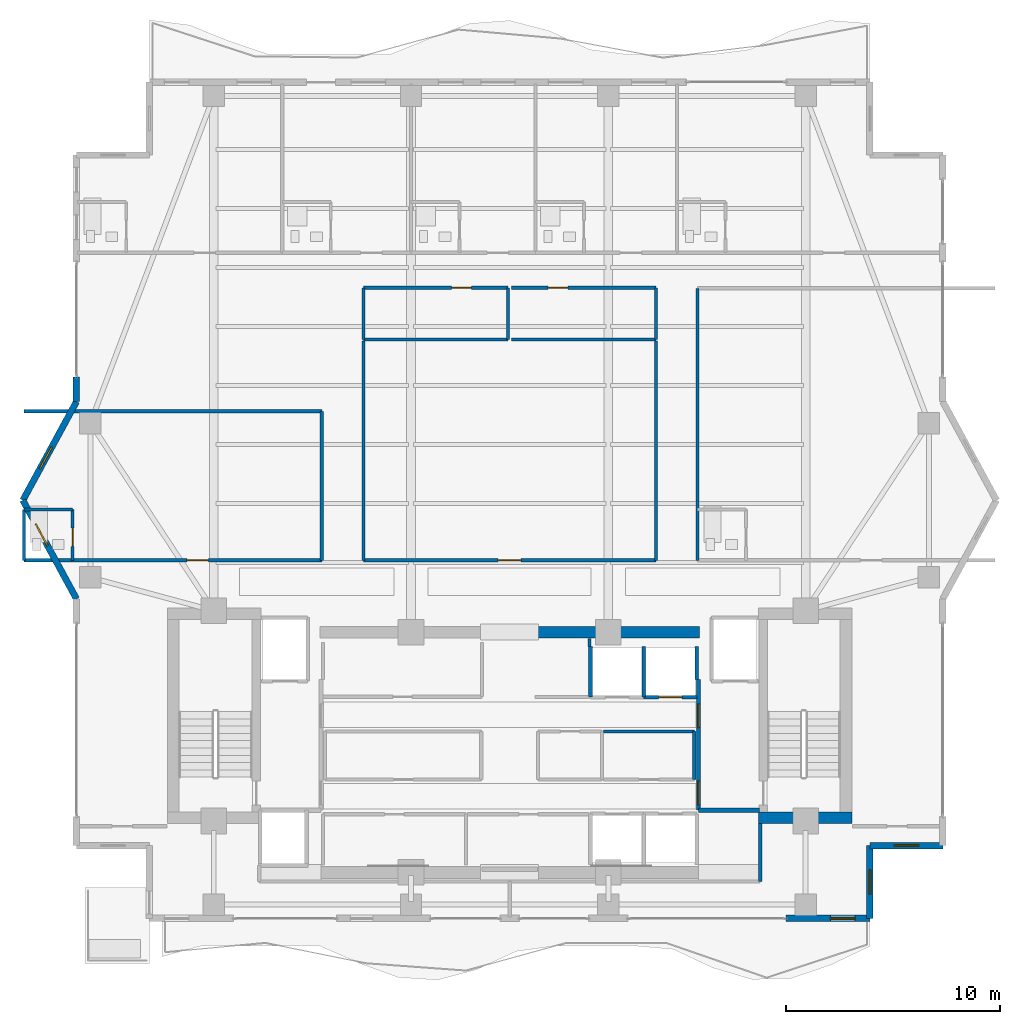
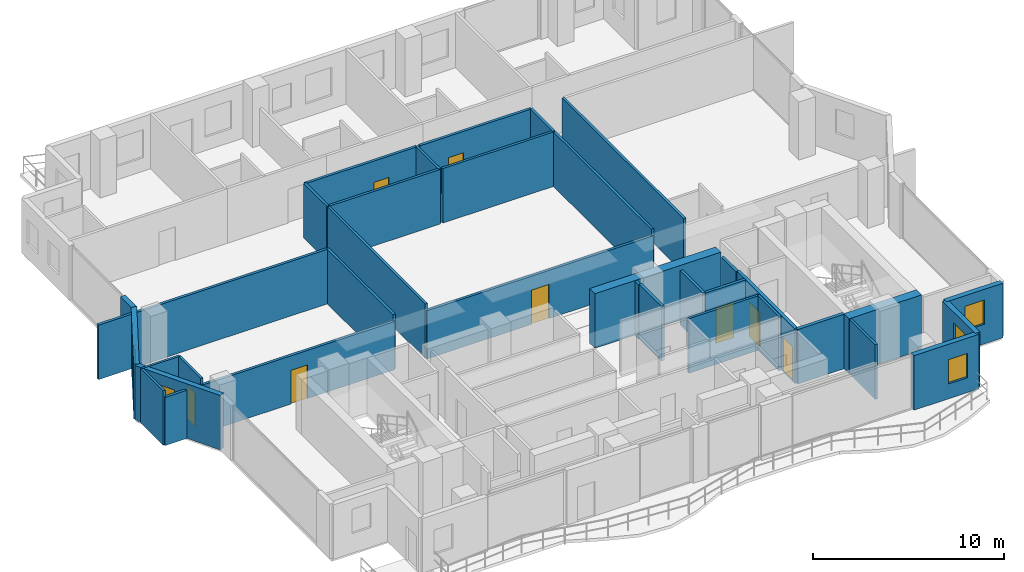
# One storey, part 19 of 26: 35 walls, 8 doors, 5 windows, 13 openings.
"""IFC4 building model written with IfcOpenShell, lengths in metres."""

import ifcopenshell
import ifcopenshell.guid

model = None  # the IFC model being written
_history = None  # IfcOwnerHistory: only IFC2X3 demands one
_inside = {}  # id of a spatial element -> (the spatial element, [elements in it])
_under = {}  # id of a project, library or spatial element -> (it, [spatial elements below it])
_declared = {}  # id of a project -> (the project, [libraries it declares])
_typed = {}  # id of a type object -> (the type object, [elements of that type])
_made_of = {}  # id of a material, layer set ... -> (it, [elements and type objects made of it])


def new_model(schema):
    """Start an empty IFC model of exactly this schema.

    Asked for "IFC4X3", IfcOpenShell would pick the latest addendum, in which some entities
    have other attributes; the version numbers below select the first issue.
    IFC2X3 requires an IfcOwnerHistory on every rooted entity: one is made here for all.
    """
    global model, _history
    if schema == "IFC4X3":
        model = ifcopenshell.file(schema_version=(4, 3, 0, 0))
    else:
        model = ifcopenshell.file(schema=schema)
    _inside.clear()
    _under.clear()
    _declared.clear()
    _typed.clear()
    _made_of.clear()
    _history = None
    if model.schema == "IFC2X3":
        org = make("IfcOrganization", Name="unknown")
        user = make(
            "IfcPersonAndOrganization",
            ThePerson=make("IfcPerson", FamilyName="unknown"),
            TheOrganization=org,
        )
        app = make(
            "IfcApplication",
            ApplicationDeveloper=org,
            Version="unknown",
            ApplicationFullName="unknown",
            ApplicationIdentifier="unknown",
        )
        _history = make(
            "IfcOwnerHistory",
            OwningUser=user,
            OwningApplication=app,
            ChangeAction="ADDED",
            CreationDate=0,
        )
    return model


def make(cls, **values):
    """One entity of the class cls with the attributes given. An attribute that is None is left unset."""
    return model.create_entity(
        cls, **{name: value for name, value in values.items() if value is not None}
    )


def rooted(cls, **values):
    """An entity with a GlobalId (a new one), such as an element, a storey or a relation."""
    return make(cls, GlobalId=ifcopenshell.guid.new(), OwnerHistory=_history, **values)


def si_unit(unit_type, name, prefix=None):
    """IfcSIUnit, for example si_unit("LENGTHUNIT", "METRE", prefix="MILLI")."""
    return make("IfcSIUnit", UnitType=unit_type, Prefix=prefix, Name=name)


def assignment(units):
    """IfcUnitAssignment: the units of a project."""
    return None if units is None else make("IfcUnitAssignment", Units=units)


def point(xyz):
    """IfcCartesianPoint."""
    return None if xyz is None else make("IfcCartesianPoint", Coordinates=xyz)


def direction(xyz):
    """IfcDirection."""
    return None if xyz is None else make("IfcDirection", DirectionRatios=xyz)


def frame(location, z_axis=None, x_axis=None):
    """IfcAxis2Placement3D, a coordinate frame: its origin and axes. An axis left out is left unset."""
    return make(
        "IfcAxis2Placement3D",
        Location=point(location),
        Axis=direction(z_axis),
        RefDirection=direction(x_axis),
    )


def frame_2d(location, x_axis=None):
    """IfcAxis2Placement2D, a coordinate frame in the plane: its origin and x axis."""
    return make(
        "IfcAxis2Placement2D", Location=point(location), RefDirection=direction(x_axis)
    )


def origin():
    """The frame at (0, 0, 0) with its axes left unset."""
    return frame((0.0, 0.0, 0.0))


def place(relative_to, where):
    """IfcLocalPlacement: puts the frame where relative to a parent placement (None: the world)."""
    return make(
        "IfcLocalPlacement", PlacementRelTo=relative_to, RelativePlacement=where
    )


def context(
    kind, dimensions, precision=None, world=None, true_north=None, identifier=None
):
    """IfcGeometricRepresentationContext, for example the 3D "Model" context."""
    return make(
        "IfcGeometricRepresentationContext",
        ContextIdentifier=identifier,
        ContextType=kind,
        CoordinateSpaceDimension=dimensions,
        Precision=precision,
        WorldCoordinateSystem=world,
        TrueNorth=true_north,
    )


def subcontext(parent, identifier, kind, view, scale=None):
    """IfcGeometricRepresentationSubContext, for example "Body" below "Model"."""
    return make(
        "IfcGeometricRepresentationSubContext",
        ContextIdentifier=identifier,
        ContextType=kind,
        ParentContext=parent,
        TargetScale=scale,
        TargetView=view,
    )


def project(units=None, contexts=None):
    """IfcProject with its units and contexts."""
    return rooted(
        "IfcProject",
        Name="project",
        RepresentationContexts=contexts,
        UnitsInContext=assignment(units),
    )


def spatial(cls, under=None, at=None, **own):
    """A site, building, storey or space (cls), placed at a placement, below another one or the project."""
    s = rooted(cls, ObjectPlacement=at, **own)
    if under is not None:
        _under.setdefault(under.id(), (under, []))[1].append(s)
    return s


def profile(cls, at=None, kind="AREA", **sizes):
    """A parametric profile (cls). Its sizes go by their IFC names, for example OverallWidth=200.0."""
    return make(cls, ProfileType=kind, Position=at, **sizes)


def rectangle(**sizes):
    """IfcRectangleProfileDef."""
    return profile("IfcRectangleProfileDef", **sizes)


def extrude(swept, where, along, depth):
    """IfcExtrudedAreaSolid: the profile swept, set in the frame where, extruded along a direction by depth."""
    return make(
        "IfcExtrudedAreaSolid",
        SweptArea=swept,
        Position=where,
        ExtrudedDirection=direction(along),
        Depth=depth,
    )


def shape(context_of_items, identifier, shape_type, items):
    """IfcShapeRepresentation: the items that make up one representation, for example the "Body"."""
    return make(
        "IfcShapeRepresentation",
        ContextOfItems=context_of_items,
        RepresentationIdentifier=identifier,
        RepresentationType=shape_type,
        Items=items,
    )


def material(Name=None, Category=None):
    """IfcMaterial."""
    return make("IfcMaterial", Name=Name, Category=Category)


def layer(
    of_material, thickness, ventilated=None, Name=None, Category=None, Priority=None
):
    """IfcMaterialLayer: one layer of a wall or slab, of a material (None: an air gap)."""
    return make(
        "IfcMaterialLayer",
        Material=of_material,
        LayerThickness=thickness,
        IsVentilated=ventilated,
        Name=Name,
        Category=Category,
        Priority=Priority,
    )


def layer_set(layers, Name=None):
    """IfcMaterialLayerSet."""
    return make("IfcMaterialLayerSet", MaterialLayers=layers, LayerSetName=Name)


def made_of(thing, what):
    """Note that an element or type object is made of a material, layer set ...; save() writes the relation."""
    if what is not None:
        _made_of.setdefault(what.id(), (what, []))[1].append(thing)
    return thing


def type_object(cls, material=None, **own):
    """A type object (cls), such as IfcWallType, which elements share."""
    return made_of(rooted(cls, **own), material)


def element(
    cls,
    number,
    at=None,
    inside=None,
    cuts=None,
    type_object=None,
    material=None,
    context=None,
    identifier="Body",
    shape_type=None,
    held_by="IfcProductDefinitionShape",
    body=None,
    shapes=None,
    **own,
):
    """One element of the class cls, such as IfcWall. Its Tag is "e" and its number.

    at: its placement. inside: the storey or other place that contains it. cuts: it is an
    opening in that element (IfcRelVoidsElement). A single representation is given by context,
    identifier, shape_type and body (its items); several are given by shapes. held_by: the class
    of the entity that holds the representations. save() writes the other relations.
    """
    e = rooted(cls, Tag="e%d" % number, ObjectPlacement=at, **own)
    if body is not None:
        shapes = [shape(context, identifier, shape_type, body)]
    if shapes is not None:
        e.Representation = make(held_by, Representations=shapes)
    if inside is not None:
        _inside.setdefault(inside.id(), (inside, []))[1].append(e)
    if cuts is not None:
        rooted(
            "IfcRelVoidsElement", RelatingBuildingElement=cuts, RelatedOpeningElement=e
        )
    if type_object is not None:
        _typed.setdefault(type_object.id(), (type_object, []))[1].append(e)
    return made_of(e, material)


def fill(opening, filler):
    """IfcRelFillsElement: the door or window that sits in an opening."""
    return rooted(
        "IfcRelFillsElement",
        RelatingOpeningElement=opening,
        RelatedBuildingElement=filler,
    )


def aggregate(whole, parts):
    """IfcRelAggregates: a whole, such as a stair, and the parts it consists of."""
    return rooted("IfcRelAggregates", RelatingObject=whole, RelatedObjects=parts)


def save(model, path):
    """Write the relations noted so far, then the file.

    IfcRelAggregates (storeys below a building ...), IfcRelContainedInSpatialStructure (elements
    in a storey), IfcRelDefinesByType, IfcRelAssociatesMaterial and IfcRelDeclares: one each for
    every whole, place, type object, material and project.
    """
    for whole, parts in _under.values():
        aggregate(whole, parts)
    for where, things in _inside.values():
        rooted(
            "IfcRelContainedInSpatialStructure",
            RelatedElements=things,
            RelatingStructure=where,
        )
    for kind, things in _typed.values():
        rooted("IfcRelDefinesByType", RelatedObjects=things, RelatingType=kind)
    for what, things in _made_of.values():
        rooted("IfcRelAssociatesMaterial", RelatedObjects=things, RelatingMaterial=what)
    for by, libraries in _declared.values():
        rooted("IfcRelDeclares", RelatingContext=by, RelatedDefinitions=libraries)
    model.write(path)


model = new_model("IFC4")

# Units and contexts
model_context = context("Model", 3, precision=1e-05, world=origin(), true_north=direction((0.0, 1.0)))
body_context = subcontext(model_context, "Body", "Model", "MODEL_VIEW")
ifc_project = project(units=[si_unit("LENGTHUNIT", "METRE"), si_unit("AREAUNIT", "SQUARE_METRE"), si_unit("VOLUMEUNIT", "CUBIC_METRE"), si_unit("PLANEANGLEUNIT", "RADIAN"), si_unit("MASSUNIT", "GRAM", prefix="KILO")], contexts=[model_context])

# Site, building, storey
site_placement = place(None, origin())
site = spatial("IfcSite", under=ifc_project, at=site_placement, CompositionType="ELEMENT")
building_placement = place(site_placement, origin())
building = spatial("IfcBuilding", under=site, at=building_placement, Name="Zuhayl Quay Hotel", CompositionType="ELEMENT")
storey_placement = place(building_placement, frame((0.0, 0.0, 247.050048828125)))
storey = spatial("IfcBuildingStorey", under=building, at=storey_placement, Name="L62", CompositionType="ELEMENT", Elevation=247.050048828125)

# Walls
ifc_material_1 = material(Name="Concrete C50/60", Category="concrete")
ifc_layer_1 = layer(ifc_material_1, 0.550048828125, Name="Concrete C50/60", Category="concrete")
ifc_layer_set_1 = layer_set([ifc_layer_1], Name="Concrete C50/60")
wall_type_1 = type_object("IfcWallType", Name="WL_CORE_550", PredefinedType="SHEAR", material=ifc_layer_set_1)
wall_1_placement = place(storey_placement, frame((11.60009765625, 4.695068359375, 0.0), z_axis=(0.0, 0.0, 1.0), x_axis=(1.0, 0.0, 0.0)))
element("IfcWall", 1, at=wall_1_placement, inside=storey, type_object=wall_type_1, Name="L62 Core Shear Wall CW_SE", PredefinedType="SHEAR", context=body_context, shape_type="SweptSolid", body=[
    extrude(rectangle(XDim=4.35986328125, YDim=0.550048828125, at=frame_2d((2.179931640625, 0.0))), origin(), (0.0, 0.0, 1.0), 3.510009765625),
])
wall_2_placement = place(storey_placement, frame((1.25, 13.35009765625, 0.0), z_axis=(0.0, 0.0, 1.0), x_axis=(1.0, 0.0, 0.0)))
element("IfcWall", 2, at=wall_2_placement, inside=storey, type_object=wall_type_1, Name="L62 Core Shear Wall CW_NC_E", PredefinedType="SHEAR", context=body_context, shape_type="SweptSolid", body=[
    extrude(rectangle(XDim=7.60009765625, YDim=0.550048828125, at=frame_2d((3.800048828125, 0.0))), origin(), (0.0, 0.0, 1.0), 3.47998046875),
])

# Wall, opening, window
ifc_material_2 = material(Name="Precast concrete C45/55", Category="concrete")
ifc_layer_2 = layer(ifc_material_2, 0.300048828125, Name="Precast concrete C45/55", Category="concrete")
ifc_layer_set_2 = layer_set([ifc_layer_2], Name="Precast concrete C45/55")
wall_type_2 = type_object("IfcWallType", Name="WL_EXT_300", PredefinedType="STANDARD", material=ifc_layer_set_2)
wall_3_placement = place(storey_placement, frame((-20.199951171875, 14.89990234375, 0.0), z_axis=(0.0, 0.0, 1.0), x_axis=(-0.477505494629, 0.878628762675, 0.0)))
wall_3 = element("IfcWall", 3, at=wall_3_placement, inside=storey, type_object=wall_type_2, Name="L62 Exterior Precast Wall ENV_L62_EW03", PredefinedType="STANDARD", context=body_context, shape_type="SweptSolid", body=[
    extrude(rectangle(XDim=5.235595703125, YDim=0.300048828125, at=frame_2d((2.61767578125, 0.0))), origin(), (0.0, 0.0, 1.0), 3.47998046875),
])
opening_1_placement = place(wall_3_placement, frame((2.822509765625, 0.0, 1.25)))
opening_1 = element("IfcOpeningElement", 4, at=opening_1_placement, cuts=wall_3, Name="Opening W01N", PredefinedType="OPENING", context=body_context, shape_type="SweptSolid", body=[
    extrude(rectangle(XDim=1.14990234375, YDim=1.550048828125, at=frame_2d((0.574951171875, 0.77490234375))), frame((0.0, 0.159912109375, 0.0), z_axis=(0.0, -1.0, 0.0), x_axis=(1.0, 0.0, 0.0)), (0.0, 0.0, 1.0), 0.320068359375),
])
ifc_material_3 = material(Name="Dark Ceramic-Fritted Solar Glass", Category="glass")
window_type = type_object("IfcWindowType", Name="WN_NOTCH_1350", PartitioningType="SINGLE_PANEL", PredefinedType="WINDOW", material=ifc_material_3)
window_1_placement = place(opening_1_placement, origin())
window_1 = element("IfcWindow", 5, at=window_1_placement, inside=storey, type_object=window_type, Name="L62 Corner Notch Window 3", OverallHeight=1.550048828125, OverallWidth=1.14990234375, PartitioningType="SINGLE_PANEL", PredefinedType="WINDOW", context=body_context, shape_type="SweptSolid", body=[
    extrude(rectangle(XDim=1.14990234375, YDim=1.550048828125, at=frame_2d((0.574951171875, 0.77490234375))), frame((0.0, 0.030029296875, 0.0), z_axis=(0.0, -1.0, 0.0), x_axis=(1.0, 0.0, 0.0)), (0.0, 0.0, 1.0), 0.06005859375),
])
fill(opening_1, window_1)

wall_4_placement = place(storey_placement, frame((-22.699951171875, 19.5, 0.0), z_axis=(0.0, 0.0, 1.0), x_axis=(0.477505494629, 0.878628762675, 0.0)))
wall_4 = element("IfcWall", 6, at=wall_4_placement, inside=storey, type_object=wall_type_2, Name="L62 Exterior Precast Wall ENV_L62_EW04", PredefinedType="STANDARD", context=body_context, shape_type="SweptSolid", body=[
    extrude(rectangle(XDim=5.235595703125, YDim=0.300048828125, at=frame_2d((2.61767578125, 0.0))), origin(), (0.0, 0.0, 1.0), 3.47998046875),
])
opening_2_placement = place(wall_4_placement, frame((1.6787109375, 0.0, 1.25)))
opening_2 = element("IfcOpeningElement", 7, at=opening_2_placement, cuts=wall_4, Name="Opening W01N", PredefinedType="OPENING", context=body_context, shape_type="SweptSolid", body=[
    extrude(rectangle(XDim=1.14990234375, YDim=1.550048828125, at=frame_2d((0.574951171875, 0.77490234375))), frame((0.0, 0.159912109375, 0.0), z_axis=(0.0, -1.0, 0.0), x_axis=(1.0, 0.0, 0.0)), (0.0, 0.0, 1.0), 0.320068359375),
])
window_2_placement = place(opening_2_placement, origin())
window_2 = element("IfcWindow", 8, at=window_2_placement, inside=storey, type_object=window_type, Name="L62 Corner Notch Window 4", OverallHeight=1.550048828125, OverallWidth=1.14990234375, PartitioningType="SINGLE_PANEL", PredefinedType="WINDOW", context=body_context, shape_type="SweptSolid", body=[
    extrude(rectangle(XDim=1.14990234375, YDim=1.550048828125, at=frame_2d((0.574951171875, 0.77490234375))), frame((0.0, 0.030029296875, 0.0), z_axis=(0.0, -1.0, 0.0), x_axis=(1.0, 0.0, 0.0)), (0.0, 0.0, 1.0), 0.06005859375),
])
fill(opening_2, window_2)

# Wall
wall_5_placement = place(storey_placement, frame((-20.199951171875, 24.10009765625, 0.0), z_axis=(0.0, 0.0, 1.0), x_axis=(0.0, 1.0, 0.0)))
element("IfcWall", 9, at=wall_5_placement, inside=storey, type_object=wall_type_2, Name="L62 Exterior Precast Wall ENV_L62_E05_EW1", PredefinedType="STANDARD", context=body_context, shape_type="SweptSolid", body=[
    extrude(rectangle(XDim=1.14990234375, YDim=0.300048828125, at=frame_2d((0.574951171875, 0.0))), origin(), (0.0, 0.0, 1.0), 3.47998046875),
])

# Wall, opening, window
wall_6_placement = place(storey_placement, frame((20.199951171875, 3.39990234375, 0.0), z_axis=(0.0, 0.0, 1.0), x_axis=(-1.0, 0.0, 0.0)))
wall_6 = element("IfcWall", 10, at=wall_6_placement, inside=storey, type_object=wall_type_2, Name="L62 Exterior Precast Wall ENV_L62_EW15", PredefinedType="STANDARD", context=body_context, shape_type="SweptSolid", body=[
    extrude(rectangle(XDim=3.39990234375, YDim=0.300048828125, at=frame_2d((1.699951171875, 0.0))), origin(), (0.0, 0.0, 1.0), 3.47998046875),
])
opening_3_placement = place(wall_6_placement, frame((1.125, 0.0, 1.25)))
opening_3 = element("IfcOpeningElement", 11, at=opening_3_placement, cuts=wall_6, Name="Opening W01N", PredefinedType="OPENING", context=body_context, shape_type="SweptSolid", body=[
    extrude(rectangle(XDim=1.14990234375, YDim=1.550048828125, at=frame_2d((0.574951171875, 0.77490234375))), frame((0.0, 0.159912109375, 0.0), z_axis=(0.0, -1.0, 0.0), x_axis=(1.0, 0.0, 0.0)), (0.0, 0.0, 1.0), 0.320068359375),
])
window_3_placement = place(opening_3_placement, origin())
window_3 = element("IfcWindow", 12, at=window_3_placement, inside=storey, type_object=window_type, Name="L62 Corner Notch Window 15", OverallHeight=1.550048828125, OverallWidth=1.14990234375, PartitioningType="SINGLE_PANEL", PredefinedType="WINDOW", context=body_context, shape_type="SweptSolid", body=[
    extrude(rectangle(XDim=1.14990234375, YDim=1.550048828125, at=frame_2d((0.574951171875, 0.77490234375))), frame((0.0, 0.030029296875, 0.0), z_axis=(0.0, -1.0, 0.0), x_axis=(1.0, 0.0, 0.0)), (0.0, 0.0, 1.0), 0.06005859375),
])
fill(opening_3, window_3)

wall_7_placement = place(storey_placement, frame((16.800048828125, 3.39990234375, 0.0), z_axis=(0.0, 0.0, 1.0), x_axis=(0.0, -1.0, 0.0)))
wall_7 = element("IfcWall", 13, at=wall_7_placement, inside=storey, type_object=wall_type_2, Name="L62 Exterior Precast Wall ENV_L62_EW16", PredefinedType="STANDARD", context=body_context, shape_type="SweptSolid", body=[
    extrude(rectangle(XDim=3.39990234375, YDim=0.300048828125, at=frame_2d((1.699951171875, 0.0))), origin(), (0.0, 0.0, 1.0), 3.47998046875),
])
opening_4_placement = place(wall_7_placement, frame((1.125, 0.0, 1.25)))
opening_4 = element("IfcOpeningElement", 14, at=opening_4_placement, cuts=wall_7, Name="Opening W01N", PredefinedType="OPENING", context=body_context, shape_type="SweptSolid", body=[
    extrude(rectangle(XDim=1.14990234375, YDim=1.550048828125, at=frame_2d((0.574951171875, 0.77490234375))), frame((0.0, 0.159912109375, 0.0), z_axis=(0.0, -1.0, 0.0), x_axis=(1.0, 0.0, 0.0)), (0.0, 0.0, 1.0), 0.320068359375),
])
window_4_placement = place(opening_4_placement, origin())
window_4 = element("IfcWindow", 15, at=window_4_placement, inside=storey, type_object=window_type, Name="L62 Corner Notch Window 16", OverallHeight=1.550048828125, OverallWidth=1.14990234375, PartitioningType="SINGLE_PANEL", PredefinedType="WINDOW", context=body_context, shape_type="SweptSolid", body=[
    extrude(rectangle(XDim=1.14990234375, YDim=1.550048828125, at=frame_2d((0.574951171875, 0.77490234375))), frame((0.0, 0.030029296875, 0.0), z_axis=(0.0, -1.0, 0.0), x_axis=(1.0, 0.0, 0.0)), (0.0, 0.0, 1.0), 0.06005859375),
])
fill(opening_4, window_4)

wall_8_placement = place(storey_placement, frame((16.800048828125, 0.0, 0.0), z_axis=(0.0, 0.0, 1.0), x_axis=(-1.0, 0.0, 0.0)))
wall_8 = element("IfcWall", 16, at=wall_8_placement, inside=storey, type_object=wall_type_2, Name="L62 Exterior Precast Wall ENV_L62_S_EW1", PredefinedType="STANDARD", context=body_context, shape_type="SweptSolid", body=[
    extrude(rectangle(XDim=3.920166015625, YDim=0.300048828125, at=frame_2d((1.9599609375, 0.0))), origin(), (0.0, 0.0, 1.0), 3.47998046875),
])
opening_5_placement = place(wall_8_placement, frame((0.695068359375, 0.0, 0.949951171875)))
opening_5 = element("IfcOpeningElement", 17, at=opening_5_placement, cuts=wall_8, Name="Opening W01N", PredefinedType="OPENING", context=body_context, shape_type="SweptSolid", body=[
    extrude(rectangle(XDim=1.14990234375, YDim=1.550048828125, at=frame_2d((0.574951171875, 0.77490234375))), frame((0.0, 0.159912109375, 0.0), z_axis=(0.0, -1.0, 0.0), x_axis=(1.0, 0.0, 0.0)), (0.0, 0.0, 1.0), 0.320068359375),
])
window_5_placement = place(opening_5_placement, origin())
window_5 = element("IfcWindow", 18, at=window_5_placement, inside=storey, type_object=window_type, Name="L62 Operable Facade Window 1-1", OverallHeight=1.550048828125, OverallWidth=1.14990234375, PartitioningType="SINGLE_PANEL", PredefinedType="WINDOW", context=body_context, shape_type="SweptSolid", body=[
    extrude(rectangle(XDim=1.14990234375, YDim=1.550048828125, at=frame_2d((0.574951171875, 0.77490234375))), frame((0.0, 0.030029296875, 0.0), z_axis=(0.0, -1.0, 0.0), x_axis=(1.0, 0.0, 0.0)), (0.0, 0.0, 1.0), 0.06005859375),
])
fill(opening_5, window_5)

# Walls
ifc_material_4 = material(Name="Acoustic Gypsum Partition STC-58")
ifc_layer_3 = layer(ifc_material_4, 0.14990234375, Name="Acoustic Gypsum Partition STC-58")
ifc_layer_set_3 = layer_set([ifc_layer_3], Name="Acoustic Gypsum Partition STC-58")
wall_type_3 = type_object("IfcWallType", Name="WL_PART_150", PredefinedType="PARTITIONING", material=ifc_layer_set_3)
wall_9_placement = place(storey_placement, frame((4.3701171875, 8.719970703125, 0.0), z_axis=(0.0, 0.0, 1.0), x_axis=(1.0, 0.0, 0.0)))
element("IfcWall", 19, at=wall_9_placement, inside=storey, type_object=wall_type_3, Name="L62 Partition IW_L62_CORE_LN_N", PredefinedType="PARTITIONING", context=body_context, shape_type="SweptSolid", body=[
    extrude(rectangle(XDim=4.239990234375, YDim=0.14990234375, at=frame_2d((2.1201171875, 0.0))), origin(), (0.0, 0.0, 1.0), 3.47998046875),
])
wall_10_placement = place(storey_placement, frame((8.610107421875, 6.47998046875, 0.0), z_axis=(0.0, 0.0, 1.0), x_axis=(0.0, 1.0, 0.0)))
element("IfcWall", 20, at=wall_10_placement, inside=storey, type_object=wall_type_3, Name="L62 Partition IW_L62_CORE_LN_E", PredefinedType="PARTITIONING", context=body_context, shape_type="SweptSolid", body=[
    extrude(rectangle(XDim=2.239990234375, YDim=0.14990234375, at=frame_2d((1.1201171875, 0.0))), origin(), (0.0, 0.0, 1.0), 3.47998046875),
])
wall_11_placement = place(storey_placement, frame((3.719970703125, 12.679931640625, 0.0), z_axis=(0.0, 0.0, 1.0), x_axis=(0.0, 1.0, 0.0)))
element("IfcWall", 21, at=wall_11_placement, inside=storey, type_object=wall_type_3, Name="L62 Partition IW_L62_VEST_MP4_E", PredefinedType="PARTITIONING", context=body_context, shape_type="SweptSolid", body=[
    extrude(rectangle(XDim=0.3701171875, YDim=0.14990234375, at=frame_2d((0.18505859375, 0.0))), origin(), (0.0, 0.0, 1.0), 3.47998046875),
])
wall_12_placement = place(storey_placement, frame((11.679931640625, 1.719970703125, 0.0), z_axis=(0.0, 0.0, 1.0), x_axis=(0.0, 1.0, 0.0)))
element("IfcWall", 22, at=wall_12_placement, inside=storey, type_object=wall_type_3, Name="L62 Partition IW_L62_Z4_SUN_SE_IN", PredefinedType="PARTITIONING", context=body_context, shape_type="SweptSolid", body=[
    extrude(rectangle(XDim=2.699951171875, YDim=0.14990234375, at=frame_2d((1.35009765625, 0.0))), origin(), (0.0, 0.0, 1.0), 3.47998046875),
])
wall_13_placement = place(storey_placement, frame((-6.820068359375, 27.0, 0.0), z_axis=(0.0, 0.0, 1.0), x_axis=(1.0, 0.0, 0.0)))
element("IfcWall", 23, at=wall_13_placement, inside=storey, type_object=wall_type_3, Name="L62 Partition IW_L62_HK_MAIN_S", PredefinedType="PARTITIONING", context=body_context, shape_type="SweptSolid", body=[
    extrude(rectangle(XDim=6.739990234375, YDim=0.14990234375, at=frame_2d((3.3701171875, 0.0))), origin(), (0.0, 0.0, 1.0), 3.47998046875),
])
for number, where, z_axis, x_axis, name in (
    (24, (-6.820068359375, 27.0, 0.0), (0.0, 0.0, 1.0), (0.0, 1.0, 0.0), "L62 Partition IW_L62_HK_MAIN_W"),
    (25, (-0.080078125, 27.0, 0.0), (0.0, 0.0, 1.0), (0.0, 1.0, 0.0), "L62 Partition IW_L62_HK_MAIN_E"),
):
    element("IfcWall", number, at=place(storey_placement, frame(where, z_axis=z_axis, x_axis=x_axis)), inside=storey, type_object=wall_type_3, Name=name, PredefinedType="PARTITIONING", context=body_context, shape_type="SweptSolid", body=[
        extrude(rectangle(XDim=2.39990234375, YDim=0.14990234375, at=frame_2d((1.199951171875, 0.0))), origin(), (0.0, 0.0, 1.0), 3.47998046875),
    ])
wall_14_placement = place(storey_placement, frame((0.080078125, 27.0, 0.0), z_axis=(0.0, 0.0, 1.0), x_axis=(1.0, 0.0, 0.0)))
element("IfcWall", 26, at=wall_14_placement, inside=storey, type_object=wall_type_3, Name="L62 Partition IW_L62_TEA_MAIN_S", PredefinedType="PARTITIONING", context=body_context, shape_type="SweptSolid", body=[
    extrude(rectangle(XDim=6.739990234375, YDim=0.14990234375, at=frame_2d((3.3701171875, 0.0))), origin(), (0.0, 0.0, 1.0), 3.47998046875),
])
wall_15_placement = place(storey_placement, frame((6.820068359375, 27.0, 0.0), z_axis=(0.0, 0.0, 1.0), x_axis=(0.0, 1.0, 0.0)))
element("IfcWall", 27, at=wall_15_placement, inside=storey, type_object=wall_type_3, Name="L62 Partition IW_L62_TEA_MAIN_E", PredefinedType="PARTITIONING", context=body_context, shape_type="SweptSolid", body=[
    extrude(rectangle(XDim=2.39990234375, YDim=0.14990234375, at=frame_2d((1.199951171875, 0.0))), origin(), (0.0, 0.0, 1.0), 3.47998046875),
])
for number, where, z_axis, x_axis, name in (
    (28, (-6.820068359375, 16.699951171875, 0.0), (0.0, 0.0, 1.0), (0.0, 1.0, 0.0), "L62 Partition IW_L62_Z4_MAJ_W"),
    (29, (6.820068359375, 16.699951171875, 0.0), (0.0, 0.0, 1.0), (0.0, 1.0, 0.0), "L62 Partition IW_L62_Z4_MAJ_E"),
):
    element("IfcWall", number, at=place(storey_placement, frame(where, z_axis=z_axis, x_axis=x_axis)), inside=storey, type_object=wall_type_3, Name=name, PredefinedType="PARTITIONING", context=body_context, shape_type="SweptSolid", body=[
        extrude(rectangle(XDim=10.219970703125, YDim=0.14990234375, at=frame_2d((5.10986328125, 0.0))), origin(), (0.0, 0.0, 1.0), 3.47998046875),
    ])
wall_16_placement = place(storey_placement, frame((-8.760009765625, 16.699951171875, 0.0), z_axis=(0.0, 0.0, 1.0), x_axis=(0.0, 1.0, 0.0)))
element("IfcWall", 30, at=wall_16_placement, inside=storey, type_object=wall_type_3, Name="L62 Partition IW_L62_WU01_E", PredefinedType="PARTITIONING", context=body_context, shape_type="SweptSolid", body=[
    extrude(rectangle(XDim=6.949951171875, YDim=0.14990234375, at=frame_2d((3.47509765625, 0.0))), origin(), (0.0, 0.0, 1.0), 3.47998046875),
])
wall_17_placement = place(storey_placement, frame((8.760009765625, 16.699951171875, 0.0), z_axis=(0.0, 0.0, 1.0), x_axis=(0.0, 1.0, 0.0)))
element("IfcWall", 31, at=wall_17_placement, inside=storey, type_object=wall_type_3, Name="L62 Partition IW_L62_EU01_W", PredefinedType="PARTITIONING", context=body_context, shape_type="SweptSolid", body=[
    extrude(rectangle(XDim=12.679931640625, YDim=0.14990234375, at=frame_2d((6.33984375, 0.0))), origin(), (0.0, 0.0, 1.0), 3.47998046875),
])

# Wall, opening, door
ifc_layer_4 = layer(ifc_material_4, 0.159912109375, Name="Acoustic Gypsum Partition STC-58")
ifc_layer_set_4 = layer_set([ifc_layer_4], Name="Acoustic Gypsum Partition STC-58")
wall_type_4 = type_object("IfcWallType", Name="WL_PART_CORR_160", PredefinedType="PARTITIONING", material=ifc_layer_set_4)
wall_18_placement = place(storey_placement, frame((-6.820068359375, 29.39990234375, 0.0), z_axis=(0.0, 0.0, 1.0), x_axis=(1.0, 0.0, 0.0)))
wall_18 = element("IfcWall", 32, at=wall_18_placement, inside=storey, type_object=wall_type_4, Name="L62 Partition IW_L62_HK_MAIN_N", PredefinedType="PARTITIONING", context=body_context, shape_type="SweptSolid", body=[
    extrude(rectangle(XDim=6.739990234375, YDim=0.159912109375, at=frame_2d((3.3701171875, 0.0))), origin(), (0.0, 0.0, 1.0), 3.47998046875),
])
opening_6_placement = place(wall_18_placement, frame((4.110107421875, 0.0, 0.0)))
opening_6 = element("IfcOpeningElement", 33, at=opening_6_placement, cuts=wall_18, Name="Opening D05", PredefinedType="OPENING", context=body_context, shape_type="SweptSolid", body=[
    extrude(rectangle(XDim=0.919921875, YDim=2.1201171875, at=frame_2d((0.4599609375, 1.06005859375))), frame((0.0, 0.08984375, 0.0), z_axis=(0.0, -1.0, 0.0), x_axis=(1.0, 0.0, 0.0)), (0.0, 0.0, 1.0), 0.179931640625),
])
ifc_material_5 = material(Name="Solid Walnut Acoustic Fire Door")
door_type_1 = type_object("IfcDoorType", Name="DR_INT_950", OperationType="NOTDEFINED", PredefinedType="DOOR", material=ifc_material_5)
door_1_placement = place(opening_6_placement, origin())
door_1 = element("IfcDoor", 34, at=door_1_placement, inside=storey, type_object=door_type_1, Name="L62 Housekeeping and Linen Room Door", OperationType="SINGLE_SWING_LEFT", OverallHeight=2.1201171875, OverallWidth=0.919921875, PredefinedType="DOOR", context=body_context, shape_type="SweptSolid", body=[
    extrude(rectangle(XDim=0.919921875, YDim=2.1201171875, at=frame_2d((0.4599609375, 1.06005859375))), frame((0.0, 0.02490234375, 0.0), z_axis=(0.0, -1.0, 0.0), x_axis=(1.0, 0.0, 0.0)), (0.0, 0.0, 1.0), 0.050048828125),
])
fill(opening_6, door_1)

wall_19_placement = place(storey_placement, frame((0.080078125, 29.39990234375, 0.0), z_axis=(0.0, 0.0, 1.0), x_axis=(1.0, 0.0, 0.0)))
wall_19 = element("IfcWall", 35, at=wall_19_placement, inside=storey, type_object=wall_type_4, Name="L62 Partition IW_L62_TEA_MAIN_N", PredefinedType="PARTITIONING", context=body_context, shape_type="SweptSolid", body=[
    extrude(rectangle(XDim=6.739990234375, YDim=0.159912109375, at=frame_2d((3.3701171875, 0.0))), origin(), (0.0, 0.0, 1.0), 3.47998046875),
])
opening_7_placement = place(wall_19_placement, frame((1.7099609375, 0.0, 0.0)))
opening_7 = element("IfcOpeningElement", 36, at=opening_7_placement, cuts=wall_19, Name="Opening D05", PredefinedType="OPENING", context=body_context, shape_type="SweptSolid", body=[
    extrude(rectangle(XDim=0.919921875, YDim=2.1201171875, at=frame_2d((0.4599609375, 1.06005859375))), frame((0.0, 0.08984375, 0.0), z_axis=(0.0, -1.0, 0.0), x_axis=(1.0, 0.0, 0.0)), (0.0, 0.0, 1.0), 0.179931640625),
])
door_2_placement = place(opening_7_placement, origin())
door_2 = element("IfcDoor", 37, at=door_2_placement, inside=storey, type_object=door_type_1, Name="L62 Floor Beverage Pantry Door", OperationType="SINGLE_SWING_RIGHT", OverallHeight=2.1201171875, OverallWidth=0.919921875, PredefinedType="DOOR", context=body_context, shape_type="SweptSolid", body=[
    extrude(rectangle(XDim=0.919921875, YDim=2.1201171875, at=frame_2d((0.4599609375, 1.06005859375))), frame((0.0, 0.02490234375, 0.0), z_axis=(0.0, -1.0, 0.0), x_axis=(1.0, 0.0, 0.0)), (0.0, 0.0, 1.0), 0.050048828125),
])
fill(opening_7, door_2)

wall_20_placement = place(storey_placement, frame((-6.820068359375, 16.699951171875, 0.0), z_axis=(0.0, 0.0, 1.0), x_axis=(1.0, 0.0, 0.0)))
wall_20 = element("IfcWall", 38, at=wall_20_placement, inside=storey, type_object=wall_type_4, Name="L62 Partition IW_L62_Z4_MAJ_S", PredefinedType="PARTITIONING", context=body_context, shape_type="SweptSolid", body=[
    extrude(rectangle(XDim=13.64013671875, YDim=0.159912109375, at=frame_2d((6.820068359375, 0.0))), origin(), (0.0, 0.0, 1.0), 3.075927734375),
])
opening_8_placement = place(wall_20_placement, frame((6.280029296875, 0.0, 0.0)))
opening_8 = element("IfcOpeningElement", 39, at=opening_8_placement, cuts=wall_20, Name="Opening D05A", PredefinedType="OPENING", context=body_context, shape_type="SweptSolid", body=[
    extrude(rectangle(XDim=1.080078125, YDim=2.179931640625, at=frame_2d((0.5400390625, 1.08984375))), frame((0.0, 0.08984375, 0.0), z_axis=(0.0, -1.0, 0.0), x_axis=(1.0, 0.0, 0.0)), (0.0, 0.0, 1.0), 0.179931640625),
])
door_type_2 = type_object("IfcDoorType", Name="DR_INT_1100", OperationType="NOTDEFINED", PredefinedType="DOOR", material=ifc_material_5)
door_3_placement = place(opening_8_placement, origin())
door_3 = element("IfcDoor", 40, at=door_3_placement, inside=storey, type_object=door_type_2, Name="L62 Royal Gulf Majlis Door", OperationType="SINGLE_SWING_LEFT", OverallHeight=2.179931640625, OverallWidth=1.080078125, PredefinedType="DOOR", context=body_context, shape_type="SweptSolid", body=[
    extrude(rectangle(XDim=1.080078125, YDim=2.179931640625, at=frame_2d((0.5400390625, 1.08984375))), frame((0.0, 0.02490234375, 0.0), z_axis=(0.0, -1.0, 0.0), x_axis=(1.0, 0.0, 0.0)), (0.0, 0.0, 1.0), 0.050048828125),
])
fill(opening_8, door_3)

wall_21_placement = place(storey_placement, frame((-22.639892578125, 16.699951171875, 0.0), z_axis=(0.0, 0.0, 1.0), x_axis=(1.0, 0.0, 0.0)))
wall_21 = element("IfcWall", 41, at=wall_21_placement, inside=storey, type_object=wall_type_4, Name="L62 Partition IW_L62_WU01_COR", PredefinedType="PARTITIONING", context=body_context, shape_type="SweptSolid", body=[
    extrude(rectangle(XDim=13.8798828125, YDim=0.159912109375, at=frame_2d((6.93994140625, 0.0))), origin(), (0.0, 0.0, 1.0), 3.075927734375),
])
opening_9_placement = place(wall_21_placement, frame((7.590087890625, 0.0, 0.0)))
opening_9 = element("IfcOpeningElement", 42, at=opening_9_placement, cuts=wall_21, Name="Opening D03L", PredefinedType="OPENING", context=body_context, shape_type="SweptSolid", body=[
    extrude(rectangle(XDim=1.0, YDim=2.14990234375, at=frame_2d((0.5, 1.074951171875))), frame((0.0, 0.08984375, 0.0), z_axis=(0.0, -1.0, 0.0), x_axis=(1.0, 0.0, 0.0)), (0.0, 0.0, 1.0), 0.179931640625),
])
door_type_3 = type_object("IfcDoorType", Name="DR_SUITE_1000", OperationType="NOTDEFINED", PredefinedType="DOOR", material=ifc_material_5)
door_4_placement = place(opening_9_placement, origin())
door_4 = element("IfcDoor", 43, at=door_4_placement, inside=storey, type_object=door_type_3, Name="L62 West Gulf Suite L62-W1 Entrance Door", OperationType="SINGLE_SWING_LEFT", OverallHeight=2.14990234375, OverallWidth=1.0, PredefinedType="DOOR", context=body_context, shape_type="SweptSolid", body=[
    extrude(rectangle(XDim=1.0, YDim=2.14990234375, at=frame_2d((0.5, 1.074951171875))), frame((0.0, 0.02490234375, 0.0), z_axis=(0.0, -1.0, 0.0), x_axis=(1.0, 0.0, 0.0)), (0.0, 0.0, 1.0), 0.050048828125),
])
fill(opening_9, door_4)

# Wall
wall_22_placement = place(storey_placement, frame((-22.639892578125, 23.64990234375, 0.0), z_axis=(0.0, 0.0, 1.0), x_axis=(1.0, 0.0, 0.0)))
element("IfcWall", 44, at=wall_22_placement, inside=storey, type_object=wall_type_4, Name="L62 Partition IW_L62_WU01_BK", PredefinedType="PARTITIONING", context=body_context, shape_type="SweptSolid", body=[
    extrude(rectangle(XDim=13.8798828125, YDim=0.159912109375, at=frame_2d((6.93994140625, 0.0))), origin(), (0.0, 0.0, 1.0), 3.47998046875),
])

# Wall, opening, door
ifc_material_6 = material(Name="Moisture-Resistant Sanitarychase Gypsum")
ifc_layer_5 = layer(ifc_material_6, 0.135009765625, Name="Moisture-Resistant Sanitarychase Gypsum")
ifc_layer_set_5 = layer_set([ifc_layer_5], Name="Moisture-Resistant Sanitarychase Gypsum")
wall_type_5 = type_object("IfcWallType", Name="WL_PART_PLUMB_150", PredefinedType="PLUMBINGWALL", material=ifc_layer_set_5)
wall_23_placement = place(storey_placement, frame((-20.3798828125, 16.699951171875, 0.0), z_axis=(0.0, 0.0, 1.0), x_axis=(0.0, 1.0, 0.0)))
wall_23 = element("IfcWall", 45, at=wall_23_placement, inside=storey, type_object=wall_type_5, Name="L62 Partition IW_L62_WU01_BE", PredefinedType="PLUMBINGWALL", context=body_context, shape_type="SweptSolid", body=[
    extrude(rectangle(XDim=2.360107421875, YDim=0.135009765625, at=frame_2d((1.18017578125, 0.0))), origin(), (0.0, 0.0, 1.0), 3.47998046875),
])
opening_10_placement = place(wall_23_placement, frame((0.64990234375, 0.0, 0.0)))
opening_10 = element("IfcOpeningElement", 46, at=opening_10_placement, cuts=wall_23, Name="Opening D04", PredefinedType="OPENING", context=body_context, shape_type="SweptSolid", body=[
    extrude(rectangle(XDim=0.85009765625, YDim=2.10009765625, at=frame_2d((0.425048828125, 1.050048828125))), frame((0.0, 0.077392578125, 0.0), z_axis=(0.0, -1.0, 0.0), x_axis=(1.0, 0.0, 0.0)), (0.0, 0.0, 1.0), 0.155029296875),
])
ifc_material_7 = material(Name="Moisture-Resistant Walnut Veneer")
door_type_4 = type_object("IfcDoorType", Name="DR_BATH_850", OperationType="NOTDEFINED", PredefinedType="DOOR", material=ifc_material_7)
door_5_placement = place(opening_10_placement, origin())
door_5 = element("IfcDoor", 47, at=door_5_placement, inside=storey, type_object=door_type_4, Name="L62 West Gulf Suite L62-W1 En-Suite Door", OperationType="SINGLE_SWING_RIGHT", OverallHeight=2.10009765625, OverallWidth=0.85009765625, PredefinedType="DOOR", context=body_context, shape_type="SweptSolid", body=[
    extrude(rectangle(XDim=0.85009765625, YDim=2.10009765625, at=frame_2d((0.425048828125, 1.050048828125))), frame((0.0, 0.02490234375, 0.0), z_axis=(0.0, -1.0, 0.0), x_axis=(1.0, 0.0, 0.0)), (0.0, 0.0, 1.0), 0.050048828125),
])
fill(opening_10, door_5)

# Walls
wall_24_placement = place(storey_placement, frame((-22.639892578125, 19.06005859375, 0.0), z_axis=(0.0, 0.0, 1.0), x_axis=(1.0, 0.0, 0.0)))
element("IfcWall", 48, at=wall_24_placement, inside=storey, type_object=wall_type_5, Name="L62 Partition IW_L62_WU01_BN", PredefinedType="PLUMBINGWALL", context=body_context, shape_type="SweptSolid", body=[
    extrude(rectangle(XDim=2.260009765625, YDim=0.135009765625, at=frame_2d((1.1298828125, 0.0))), origin(), (0.0, 0.0, 1.0), 3.47998046875),
])
wall_25_placement = place(storey_placement, frame((-22.639892578125, 16.699951171875, 0.0), z_axis=(0.0, 0.0, 1.0), x_axis=(0.0, 1.0, 0.0)))
element("IfcWall", 49, at=wall_25_placement, inside=storey, type_object=wall_type_5, Name="L62 Partition IW_L62_WU01_BW", PredefinedType="PLUMBINGWALL", context=body_context, shape_type="SweptSolid", body=[
    extrude(rectangle(XDim=2.360107421875, YDim=0.135009765625, at=frame_2d((1.18017578125, 0.0))), origin(), (0.0, 0.0, 1.0), 3.47998046875),
])

# Wall, opening, door
ifc_material_8 = material(Name="Gypsum Fireboard Assembly EI-90")
ifc_layer_6 = layer(ifc_material_8, 0.1650390625, Name="Gypsum Fireboard Assembly EI-90")
ifc_layer_set_6 = layer_set([ifc_layer_6], Name="Gypsum Fireboard Assembly EI-90")
wall_type_6 = type_object("IfcWallType", Name="WL_PART_SHAFT_160", PredefinedType="PARTITIONING", material=ifc_layer_set_6)
wall_26_placement = place(storey_placement, frame((6.25, 10.320068359375, 0.0), z_axis=(0.0, 0.0, 1.0), x_axis=(1.0, 0.0, 0.0)))
wall_26 = element("IfcWall", 50, at=wall_26_placement, inside=storey, type_object=wall_type_6, Name="L62 Partition IW_L62_SH_HP4_F", PredefinedType="PARTITIONING", context=body_context, shape_type="SweptSolid", body=[
    extrude(rectangle(XDim=2.47998046875, YDim=0.1650390625, at=frame_2d((1.239990234375, 0.0))), origin(), (0.0, 0.0, 1.0), 3.47998046875),
])
opening_11_placement = place(wall_26_placement, frame((0.68994140625, 0.0, 0.0)))
opening_11 = element("IfcOpeningElement", 51, at=opening_11_placement, cuts=wall_26, Name="Opening LD1", PredefinedType="OPENING", context=body_context, shape_type="SweptSolid", body=[
    extrude(rectangle(XDim=1.10009765625, YDim=2.25, at=frame_2d((0.550048828125, 1.125))), frame((0.0, 0.092529296875, 0.0), z_axis=(0.0, -1.0, 0.0), x_axis=(1.0, 0.0, 0.0)), (0.0, 0.0, 1.0), 0.18505859375),
])
ifc_material_9 = material(Name="Brushed Stainless Steel", Category="steel")
door_type_5 = type_object("IfcDoorType", Name="DR_LIFT_PASS_1100", OperationType="SLIDING_TO_LEFT", PredefinedType="DOOR", material=ifc_material_9)
door_6_placement = place(opening_11_placement, origin())
door_6 = element("IfcDoor", 52, at=door_6_placement, inside=storey, type_object=door_type_5, Name="L62 Lift HP4 Sliding Landing Door", OperationType="SLIDING_TO_LEFT", OverallHeight=2.25, OverallWidth=1.10009765625, PredefinedType="DOOR", context=body_context, shape_type="SweptSolid", body=[
    extrude(rectangle(XDim=1.10009765625, YDim=2.25, at=frame_2d((0.550048828125, 1.125))), frame((0.0, 0.02490234375, 0.0), z_axis=(0.0, -1.0, 0.0), x_axis=(1.0, 0.0, 0.0)), (0.0, 0.0, 1.0), 0.050048828125),
])
fill(opening_11, door_6)

# Walls
for number, where, z_axis, x_axis, name in (
    (53, (3.77001953125, 10.320068359375, 0.0), (0.0, 0.0, 1.0), (0.0, 1.0, 0.0), "L62 Partition IW_L62_SH_HP3_W"),
    (54, (6.25, 10.320068359375, 0.0), (0.0, 0.0, 1.0), (0.0, 1.0, 0.0), "L62 Partition IW_L62_SH_HP3_E"),
):
    element("IfcWall", number, at=place(storey_placement, frame(where, z_axis=z_axis, x_axis=x_axis)), inside=storey, type_object=wall_type_6, Name=name, PredefinedType="PARTITIONING", context=body_context, shape_type="SweptSolid", body=[
        extrude(rectangle(XDim=2.35986328125, YDim=0.1650390625, at=frame_2d((1.179931640625, 0.0))), origin(), (0.0, 0.0, 1.0), 3.47998046875),
    ])
wall_27_placement = place(storey_placement, frame((8.72998046875, 11.14990234375, 0.0), z_axis=(0.0, 0.0, 1.0), x_axis=(0.0, 1.0, 0.0)))
element("IfcWall", 55, at=wall_27_placement, inside=storey, type_object=wall_type_6, Name="L62 Partition IW_L62_SH_HP4_E", PredefinedType="PARTITIONING", context=body_context, shape_type="SweptSolid", body=[
    extrude(rectangle(XDim=1.530029296875, YDim=0.1650390625, at=frame_2d((0.76513671875, 0.0))), origin(), (0.0, 0.0, 1.0), 3.47998046875),
])

# Wall, openings, doors
ifc_material_10 = material(Name="Gypsum Fireboard Assembly EI-120")
ifc_layer_7 = layer(ifc_material_10, 0.199951171875, Name="Gypsum Fireboard Assembly EI-120")
ifc_layer_set_7 = layer_set([ifc_layer_7], Name="Gypsum Fireboard Assembly EI-120")
wall_type_7 = type_object("IfcWallType", Name="WL_PART_SHAFT_200", PredefinedType="PARTITIONING", material=ifc_layer_set_7)
wall_28_placement = place(storey_placement, frame((8.800048828125, 11.14990234375, 0.0), z_axis=(0.0, 0.0, 1.0), x_axis=(0.0, -1.0, 0.0)))
wall_28 = element("IfcWall", 56, at=wall_28_placement, inside=storey, type_object=wall_type_7, Name="L62 Partition IW_L62_FSAE_E_W", PredefinedType="PARTITIONING", context=body_context, shape_type="SweptSolid", body=[
    extrude(rectangle(XDim=6.099853515625, YDim=0.199951171875, at=frame_2d((3.0498046875, 0.0))), origin(), (0.0, 0.0, 1.0), 3.47998046875),
])
opening_12_placement = place(wall_28_placement, frame((1.14990234375, 0.0, 0.0)))
opening_12 = element("IfcOpeningElement", 57, at=opening_12_placement, cuts=wall_28, Name="Opening D02", PredefinedType="OPENING", context=body_context, shape_type="SweptSolid", body=[
    extrude(rectangle(XDim=1.10009765625, YDim=2.199951171875, at=frame_2d((0.550048828125, 1.10009765625))), frame((0.0, 0.10986328125, 0.0), z_axis=(0.0, -1.0, 0.0), x_axis=(1.0, 0.0, 0.0)), (0.0, 0.0, 1.0), 0.219970703125),
])
opening_13_placement = place(wall_28_placement, frame((4.75, 0.0, 0.0)))
opening_13 = element("IfcOpeningElement", 58, at=opening_13_placement, cuts=wall_28, Name="Opening D02", PredefinedType="OPENING", context=body_context, shape_type="SweptSolid", body=[
    extrude(rectangle(XDim=1.10009765625, YDim=2.199951171875, at=frame_2d((0.550048828125, 1.10009765625))), frame((0.0, 0.10986328125, 0.0), z_axis=(0.0, -1.0, 0.0), x_axis=(1.0, 0.0, 0.0)), (0.0, 0.0, 1.0), 0.219970703125),
])
ifc_material_11 = material(Name="Steel ASTM A992 Grade 50", Category="steel")
door_type_6 = type_object("IfcDoorType", Name="DR_FIRE_90_1100", OperationType="NOTDEFINED", PredefinedType="DOOR", material=ifc_material_11)
door_7_placement = place(opening_12_placement, origin())
door_7 = element("IfcDoor", 59, at=door_7_placement, inside=storey, type_object=door_type_6, Name="L62 FSAE Lobby East North Entry Door", OperationType="SINGLE_SWING_LEFT", OverallHeight=2.199951171875, OverallWidth=1.10009765625, PredefinedType="DOOR", context=body_context, shape_type="SweptSolid", body=[
    extrude(rectangle(XDim=1.10009765625, YDim=2.199951171875, at=frame_2d((0.550048828125, 1.10009765625))), frame((0.0, 0.02490234375, 0.0), z_axis=(0.0, -1.0, 0.0), x_axis=(1.0, 0.0, 0.0)), (0.0, 0.0, 1.0), 0.050048828125),
])
fill(opening_12, door_7)
door_8_placement = place(opening_13_placement, origin())
door_8 = element("IfcDoor", 60, at=door_8_placement, inside=storey, type_object=door_type_6, Name="L62 FSAE Lobby East South Entry Door", OperationType="SINGLE_SWING_RIGHT", OverallHeight=2.199951171875, OverallWidth=1.10009765625, PredefinedType="DOOR", context=body_context, shape_type="SweptSolid", body=[
    extrude(rectangle(XDim=1.10009765625, YDim=2.199951171875, at=frame_2d((0.550048828125, 1.10009765625))), frame((0.0, 0.02490234375, 0.0), z_axis=(0.0, -1.0, 0.0), x_axis=(1.0, 0.0, 0.0)), (0.0, 0.0, 1.0), 0.050048828125),
])
fill(opening_13, door_8)

# Wall
wall_29_placement = place(storey_placement, frame((8.800048828125, 5.050048828125, 0.0), z_axis=(0.0, 0.0, 1.0), x_axis=(1.0, 0.0, 0.0)))
element("IfcWall", 61, at=wall_29_placement, inside=storey, type_object=wall_type_7, Name="L62 Partition IW_L62_FSAE_E_S", PredefinedType="PARTITIONING", context=body_context, shape_type="SweptSolid", body=[
    extrude(rectangle(XDim=2.849853515625, YDim=0.199951171875, at=frame_2d((1.4248046875, 0.0))), origin(), (0.0, 0.0, 1.0), 3.47998046875),
])

save(model, "model.ifc")
